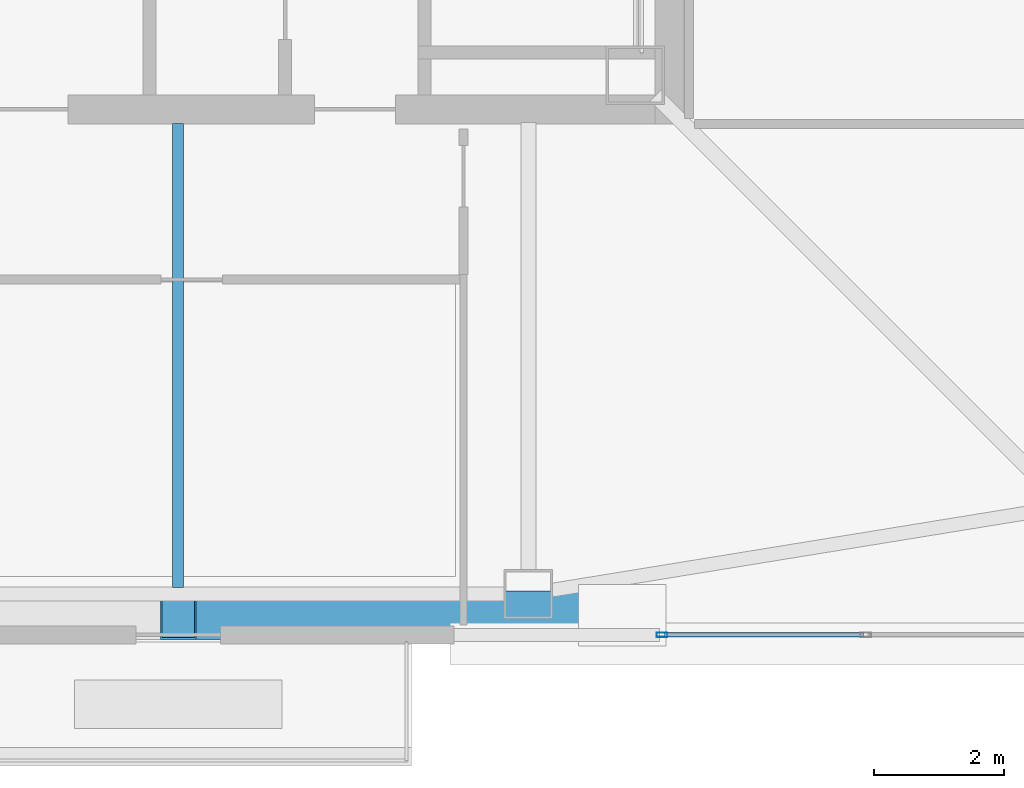
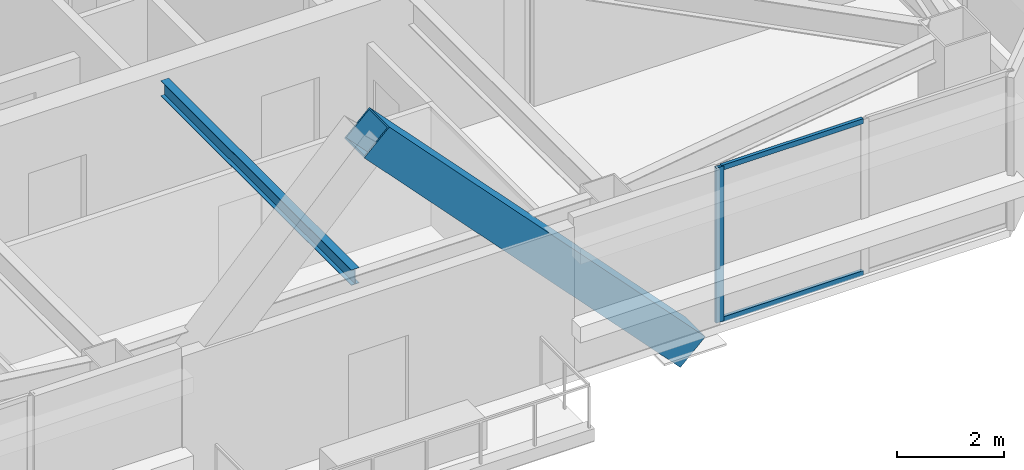
# One storey, part 6 of 39: 4 members, 1 beam, 1 element without a shape of its own.
"""IFC4 building model written with IfcOpenShell, lengths in metres."""

from ifc_helpers import new_model, si_unit, direction, frame, origin, origin_2d, place, context, subcontext, project, spatial, hollow_rectangle, i_section, extrude, material, material_profile, profile_set, type_object, element, aggregate, save


model = new_model("IFC4")

# Units and contexts
model_context = context("Model", 3, precision=1e-05, world=origin(), true_north=direction((0.0, 1.0)))
body_context = subcontext(model_context, "Body", "Model", "MODEL_VIEW")
ifc_project = project(units=[si_unit("LENGTHUNIT", "METRE"), si_unit("AREAUNIT", "SQUARE_METRE"), si_unit("VOLUMEUNIT", "CUBIC_METRE"), si_unit("PLANEANGLEUNIT", "RADIAN"), si_unit("MASSUNIT", "GRAM", prefix="KILO")], contexts=[model_context])

# Site, building, storey
site_placement = place(None, origin())
site = spatial("IfcSite", under=ifc_project, at=site_placement, CompositionType="ELEMENT")
building_placement = place(site_placement, origin())
building = spatial("IfcBuilding", under=site, at=building_placement, Name="Tashvorn Skyway Center", CompositionType="ELEMENT")
storey_placement = place(building_placement, frame((0.0, 0.0, 239.699951171875)))
storey = spatial("IfcBuildingStorey", under=building, at=storey_placement, Name="L65", CompositionType="ELEMENT", Elevation=239.699951171875)

# Beam
ifc_material_1 = material(Name="Steel ASTM A992 Grade 50", Category="steel")
ifc_material_profile_1 = material_profile(ifc_material_1, i_section(OverallWidth=0.1708984375, OverallDepth=0.35498046875, WebThickness=0.007080078125, FlangeThickness=0.01171875, at=origin_2d()), Name="W14X34")
ifc_profile_set_1 = profile_set([ifc_material_profile_1], Name="Steel ASTM A992 Grade 50")
beam_type = type_object("IfcBeamType", Name="BM-JOIST-W14X34", PredefinedType="JOIST", material=ifc_profile_set_1)
beam_placement = place(storey_placement, frame((42.0, 24.2099609375, 3.192626953125), z_axis=(0.0, -1.0, 0.0), x_axis=(1.0, 0.0, 0.0)))
element("IfcBeam", 1, at=beam_placement, inside=storey, type_object=beam_type, Name="Tower 1 L65 Secondary Composite Joist JS", PredefinedType="JOIST", context=body_context, shape_type="SweptSolid", body=[
    extrude(i_section(OverallWidth=0.1708984375, OverallDepth=0.35498046875, WebThickness=0.007080078125, FlangeThickness=0.01171875, at=origin_2d()), origin(), (0.0, 0.0, 1.0), 7.162353515625),
])

# Curtain wall, members
ifc_material_2 = material(Name="Thermally broken bronze-anodized aluminium 6063-T6", Category="aluminium")
curtain_wall_type = type_object("IfcCurtainWallType", Name="CW-CW-Z5", PredefinedType="NOTDEFINED", material=ifc_material_2)
curtain_wall_placement = place(storey_placement, origin())
curtain_wall = element("IfcCurtainWall", 2, at=curtain_wall_placement, inside=storey, type_object=curtain_wall_type, Name="Tower 1 L65 South Curtain Wall L Glazing Group 1", PredefinedType="NOTDEFINED")
ifc_material_profile_2 = material_profile(ifc_material_2, hollow_rectangle(XDim=0.070068359375, YDim=0.1650390625, WallThickness=0.00390625, at=origin_2d()), Name="ALU-MULL-70x165")
ifc_profile_set_2 = profile_set([ifc_material_profile_2], Name="Thermally broken bronze-anodized aluminium 6063-T6")
member_type_1 = type_object("IfcMemberType", Name="CWM-CW-Z5", PredefinedType="MULLION", material=ifc_profile_set_2)
member_1_placement = place(storey_placement, frame((49.461669921875, 16.320068359375, 0.0), z_axis=(0.0, 0.0, 1.0), x_axis=(0.0, -1.0, 0.0)))
member_1 = element("IfcMember", 3, at=member_1_placement, type_object=member_type_1, Name="CW-Z5 mullion 3", PredefinedType="MULLION", context=body_context, shape_type="SweptSolid", body=[
    extrude(hollow_rectangle(XDim=0.070068359375, YDim=0.1650390625, WallThickness=0.00390625, at=origin_2d()), origin(), (0.0, 0.0, 1.0), 3.550048828125),
])
ifc_material_profile_3 = material_profile(ifc_material_2, hollow_rectangle(XDim=0.070068359375, YDim=0.114990234375, WallThickness=0.00390625, at=origin_2d()), Name="ALU-TRAN-70x115")
ifc_profile_set_3 = profile_set([ifc_material_profile_3], Name="Thermally broken bronze-anodized aluminium 6063-T6")
member_type_2 = type_object("IfcMemberType", Name="CWT-CW-Z5", PredefinedType="USERDEFINED", material=ifc_profile_set_3)
member_2_placement = place(storey_placement, frame((52.568359375, 16.320068359375, 0.03515625), z_axis=(-1.0, 0.0, 0.0), x_axis=(0.0, -1.0, 0.0)))
member_2 = element("IfcMember", 4, at=member_2_placement, type_object=member_type_2, Name="CW-Z5 transom 2.1", ObjectType="TRANSOM", PredefinedType="USERDEFINED", context=body_context, shape_type="SweptSolid", body=[
    extrude(hollow_rectangle(XDim=0.070068359375, YDim=0.114990234375, WallThickness=0.00390625, at=origin_2d()), origin(), (0.0, 0.0, 1.0), 3.07177734375),
])
member_3_placement = place(storey_placement, frame((52.568359375, 16.320068359375, 3.51513671875), z_axis=(-1.0, 0.0, 0.0), x_axis=(0.0, -1.0, 0.0)))
member_3 = element("IfcMember", 5, at=member_3_placement, type_object=member_type_2, Name="CW-Z5 transom 2.2", ObjectType="TRANSOM", PredefinedType="USERDEFINED", context=body_context, shape_type="SweptSolid", body=[
    extrude(hollow_rectangle(XDim=0.070068359375, YDim=0.114990234375, WallThickness=0.00390625, at=origin_2d()), origin(), (0.0, 0.0, 1.0), 3.07177734375),
])
aggregate(curtain_wall, [member_1, member_2, member_3])

# Member
ifc_material_3 = material(Name="Steel ASTM A572 Grade 50", Category="steel")
ifc_material_profile_4 = material_profile(ifc_material_3, hollow_rectangle(XDim=0.75, YDim=0.75, WallThickness=0.031982421875, at=origin_2d()), Name="BOX750x750x32")
ifc_profile_set_4 = profile_set([ifc_material_profile_4], Name="Steel ASTM A572 Grade 50")
member_type_3 = type_object("IfcMemberType", Name="MEM-MB-750", PredefinedType="BRACE", material=ifc_profile_set_4)
member_4_placement = place(storey_placement, frame((48.85009765625, 16.6201171875, -0.449951171875), z_axis=(-0.689285797105, 0.0, 0.724489537474), x_axis=(0.0, -1.0, 0.0)))
element("IfcMember", 6, at=member_4_placement, inside=storey, type_object=member_type_3, Name="Tower 1 Zone 6 S Chevron Mega-Brace R2", PredefinedType="BRACE", context=body_context, shape_type="SweptSolid", body=[
    extrude(hollow_rectangle(XDim=0.75, YDim=0.75, WallThickness=0.031982421875, at=origin_2d()), origin(), (0.0, 0.0, 1.0), 9.93798828125),
])

save(model, "model.ifc")
